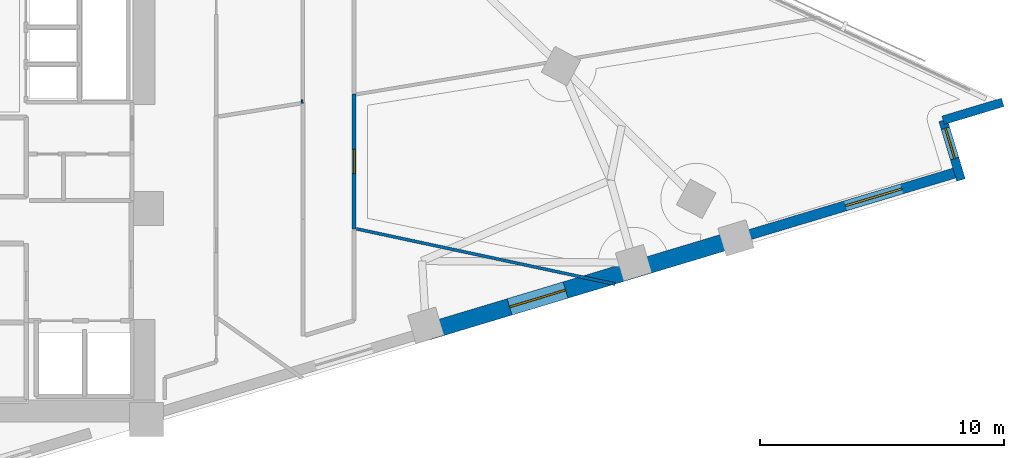
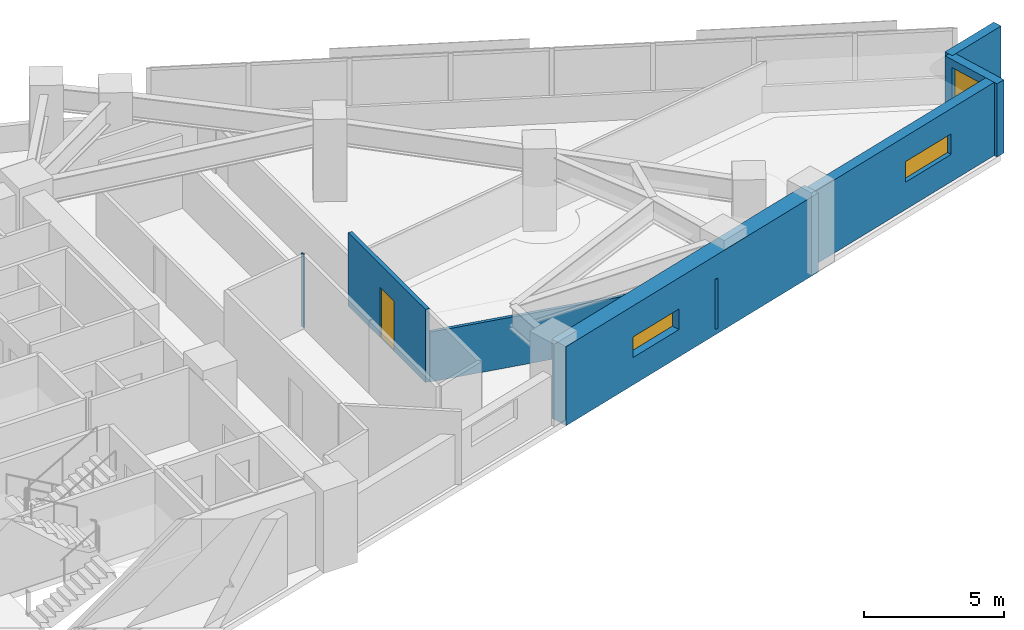
# One storey, part 11 of 14: 7 walls, 3 windows, 1 door, 4 openings.
"""IFC4 building model written with IfcOpenShell, lengths in metres."""

from ifc_helpers import new_model, si_unit, direction, frame, frame_2d, origin, place, context, subcontext, project, spatial, rectangle, extrude, material, layer, layer_set, type_object, element, fill, save


model = new_model("IFC4")

# Units and contexts
model_context = context("Model", 3, precision=1e-05, world=origin(), true_north=direction((0.0, 1.0)))
body_context = subcontext(model_context, "Body", "Model", "MODEL_VIEW")
ifc_project = project(units=[si_unit("LENGTHUNIT", "METRE"), si_unit("AREAUNIT", "SQUARE_METRE"), si_unit("VOLUMEUNIT", "CUBIC_METRE"), si_unit("PLANEANGLEUNIT", "RADIAN"), si_unit("MASSUNIT", "GRAM", prefix="KILO")], contexts=[model_context])

# Site, building, storey
site_placement = place(None, origin())
site = spatial("IfcSite", under=ifc_project, at=site_placement, CompositionType="ELEMENT")
building_placement = place(site_placement, origin())
building = spatial("IfcBuilding", under=site, at=building_placement, Name="Narakoshi Arena Tower", CompositionType="ELEMENT")
storey_placement = place(building_placement, frame((0.0, 0.0, 161.10009765625)))
storey = spatial("IfcBuildingStorey", under=building, at=storey_placement, Name="L43", CompositionType="ELEMENT", Elevation=161.10009765625)

# Wall, opening, door
ifc_material_1 = material(Name="Gypsum plasterboard fire-rated partition")
ifc_layer_1 = layer(ifc_material_1, 0.1650390625)
ifc_layer_set_1 = layer_set([ifc_layer_1], Name="Gypsum plasterboard fire-rated partition")
wall_type_1 = type_object("IfcWallType", Name="WL-CORR-165", PredefinedType="PARTITIONING", material=ifc_layer_set_1)
wall_1_placement = place(storey_placement, frame((94.050048828125, 42.499267578125, 0.0), z_axis=(0.0, 0.0, 1.0), x_axis=(0.0, 1.0, 0.0)))
wall_1 = element("IfcWall", 1, at=wall_1_placement, inside=storey, type_object=wall_type_1, Name="L43 Corridor Partition 04-1", PredefinedType="PARTITIONING", context=body_context, shape_type="SweptSolid", body=[
    extrude(rectangle(XDim=5.544921875, YDim=0.1650390625, at=frame_2d((2.7724609375, 0.0))), origin(), (0.0, 0.0, 1.0), 3.199951171875),
])
opening_1_placement = place(wall_1_placement, frame((2.2724609375, 0.0, 0.0)))
opening_1 = element("IfcOpeningElement", 2, at=opening_1_placement, cuts=wall_1, Name="Opening D-06", PredefinedType="OPENING", context=body_context, shape_type="SweptSolid", body=[
    extrude(rectangle(XDim=1.0, YDim=2.199951171875, at=frame_2d((0.5, 1.10009765625))), frame((0.0, 0.092529296875, 0.0), z_axis=(0.0, -1.0, 0.0), x_axis=(1.0, 0.0, 0.0)), (0.0, 0.0, 1.0), 0.18505859375),
])
ifc_material_2 = material(Name="Stained oak solid-core timber", Category="wood")
door_type = type_object("IfcDoorType", Name="DR-OFF-1000", OperationType="NOTDEFINED", PredefinedType="DOOR", material=ifc_material_2)
door_placement = place(opening_1_placement, frame((1.0, 0.0, 0.0), z_axis=(0.0, 0.0, 1.0), x_axis=(-1.0, 0.0, 0.0)))
door = element("IfcDoor", 3, at=door_placement, inside=storey, type_object=door_type, Name="DR-L43-018", OperationType="SINGLE_SWING_RIGHT", OverallHeight=2.199951171875, OverallWidth=1.0, PredefinedType="DOOR", context=body_context, shape_type="SweptSolid", body=[
    extrude(rectangle(XDim=1.0, YDim=2.199951171875, at=frame_2d((0.5, 1.10009765625))), frame((0.0, 0.02490234375, 0.0), z_axis=(0.0, -1.0, 0.0), x_axis=(1.0, 0.0, 0.0)), (0.0, 0.0, 1.0), 0.050048828125),
])
fill(opening_1, door)

# Wall, opening, window
ifc_material_3 = material(Name="Concrete C60/75", Category="concrete")
ifc_layer_2 = layer(ifc_material_3, 0.699951171875)
ifc_layer_set_2 = layer_set([ifc_layer_2], Name="Concrete C60/75")
wall_type_2 = type_object("IfcWallType", Name="WL-LEG-700", PredefinedType="SHEAR", material=ifc_layer_set_2)
wall_2_placement = place(storey_placement, frame((97.062255859375, 38.306640625, -0.260009765625), z_axis=(0.0, 0.0, 1.0), x_axis=(0.957569832102, 0.288201347408, 0.0)))
wall_2 = element("IfcWall", 4, at=wall_2_placement, inside=storey, type_object=wall_type_2, Name="L43 Architectural Concrete Structural Wall LEGA-3", PredefinedType="SHEAR", context=body_context, shape_type="SweptSolid", body=[
    extrude(rectangle(XDim=13.198974609375, YDim=0.699951171875, at=frame_2d((6.599609375, 0.0))), origin(), (0.0, 0.0, 1.0), 3.4599609375),
])
opening_2_placement = place(wall_2_placement, frame((3.501220703125, 0.0, 1.199951171875)))
opening_2 = element("IfcOpeningElement", 5, at=opening_2_placement, cuts=wall_2, Name="Opening WN-01", PredefinedType="OPENING", context=body_context, shape_type="SweptSolid", body=[
    extrude(rectangle(XDim=2.39990234375, YDim=0.89990234375, at=frame_2d((1.199951171875, 0.449951171875))), frame((0.0, 0.35986328125, 0.0), z_axis=(0.0, -1.0, 0.0), x_axis=(1.0, 0.0, 0.0)), (0.0, 0.0, 1.0), 0.719970703125),
])
ifc_material_4 = material(Name="Bronze-tinted low-E laminated glass", Category="glass")
window_type_1 = type_object("IfcWindowType", Name="WIN-SLT-24x09", PartitioningType="SINGLE_PANEL", PredefinedType="WINDOW", material=ifc_material_4)
window_1_placement = place(opening_2_placement, origin())
window_1 = element("IfcWindow", 6, at=window_1_placement, inside=storey, type_object=window_type_1, Name="L43 LEGA3 Horizontal Slot Window 1", OverallHeight=0.89990234375, OverallWidth=2.39990234375, PartitioningType="SINGLE_PANEL", PredefinedType="WINDOW", context=body_context, shape_type="SweptSolid", body=[
    extrude(rectangle(XDim=2.39990234375, YDim=0.89990234375, at=frame_2d((1.199951171875, 0.449951171875))), frame((0.0, 0.030029296875, 0.0), z_axis=(0.0, -1.0, 0.0), x_axis=(1.0, 0.0, 0.0)), (0.0, 0.0, 1.0), 0.06005859375),
])
fill(opening_2, window_1)

# Wall
ifc_layer_3 = layer(ifc_material_1, 0.125)
ifc_layer_set_3 = layer_set([ifc_layer_3], Name="Gypsum plasterboard fire-rated partition")
wall_type_3 = type_object("IfcWallType", Name="WL-PART-125", PredefinedType="PARTITIONING", material=ifc_layer_set_3)
wall_3_placement = place(storey_placement, frame((104.736083984375, 40.25048828125, 0.0), z_axis=(0.0, 0.0, 1.0), x_axis=(-0.977905545123, 0.209047231069, 0.0)))
element("IfcWall", 7, at=wall_3_placement, inside=storey, type_object=wall_type_3, Name="L43 Inter-Room Partition 04-05", PredefinedType="PARTITIONING", context=body_context, shape_type="SweptSolid", body=[
    extrude(rectangle(XDim=10.830810546875, YDim=0.125, at=frame_2d((5.41552734375, 0.0))), origin(), (0.0, 0.0, 1.0), 2.177001953125),
])

# Wall, opening, window
ifc_material_5 = material(Name="Precast concrete C45/55", Category="concrete")
ifc_layer_4 = layer(ifc_material_5, 0.419921875)
ifc_layer_set_4 = layer_set([ifc_layer_4], Name="Precast concrete C45/55")
wall_type_4 = type_object("IfcWallType", Name="WL-POD-420", PredefinedType="SOLIDWALL", material=ifc_layer_set_4)
wall_4_placement = place(storey_placement, frame((109.701171875, 42.110595703125, 0.0), z_axis=(0.0, 0.0, 1.0), x_axis=(0.957575807765, 0.288181492091, 0.0)))
wall_4 = element("IfcWall", 8, at=wall_4_placement, inside=storey, type_object=wall_type_4, Name="L43 Architectural Concrete Facade Wall LEGA-4", PredefinedType="SOLIDWALL", context=body_context, shape_type="SweptSolid", body=[
    extrude(rectangle(XDim=9.510498046875, YDim=0.419921875, at=frame_2d((4.75537109375, 0.0))), origin(), (0.0, 0.0, 1.0), 3.199951171875),
])
opening_3_placement = place(wall_4_placement, frame((4.679443359375, 0.0, 1.199951171875)))
opening_3 = element("IfcOpeningElement", 9, at=opening_3_placement, cuts=wall_4, Name="Opening WN-01", PredefinedType="OPENING", context=body_context, shape_type="SweptSolid", body=[
    extrude(rectangle(XDim=2.39990234375, YDim=0.89990234375, at=frame_2d((1.199951171875, 0.449951171875))), frame((0.0, 0.219970703125, 0.0), z_axis=(0.0, -1.0, 0.0), x_axis=(1.0, 0.0, 0.0)), (0.0, 0.0, 1.0), 0.43994140625),
])
window_2_placement = place(opening_3_placement, origin())
window_2 = element("IfcWindow", 10, at=window_2_placement, inside=storey, type_object=window_type_1, Name="L43 LEGA4 Horizontal Slot Window 1", OverallHeight=0.89990234375, OverallWidth=2.39990234375, PartitioningType="SINGLE_PANEL", PredefinedType="WINDOW", context=body_context, shape_type="SweptSolid", body=[
    extrude(rectangle(XDim=2.39990234375, YDim=0.89990234375, at=frame_2d((1.199951171875, 0.449951171875))), frame((0.0, 0.030029296875, 0.0), z_axis=(0.0, -1.0, 0.0), x_axis=(1.0, 0.0, 0.0)), (0.0, 0.0, 1.0), 0.06005859375),
])
fill(opening_3, window_2)

wall_5_placement = place(storey_placement, frame((118.908935546875, 44.51611328125, 0.0), z_axis=(0.0, 0.0, 1.0), x_axis=(-0.288172590882, 0.95757848653, 0.0)))
wall_5 = element("IfcWall", 11, at=wall_5_placement, inside=storey, type_object=wall_type_4, Name="L43 Re-Entrant Corner Notch Wall NTE-1", PredefinedType="SOLIDWALL", context=body_context, shape_type="SweptSolid", body=[
    extrude(rectangle(XDim=2.552734375, YDim=0.360107421875, at=frame_2d((1.2763671875, 0.0))), origin(), (0.0, 0.0, 1.0), 3.199951171875),
])
opening_4_placement = place(wall_5_placement, frame((0.91259765625, 0.0, 0.449951171875)))
opening_4 = element("IfcOpeningElement", 12, at=opening_4_placement, cuts=wall_5, Name="Opening WN-06", PredefinedType="OPENING", context=body_context, shape_type="SweptSolid", body=[
    extrude(rectangle(XDim=1.300048828125, YDim=2.39990234375, at=frame_2d((0.64990234375, 1.199951171875))), frame((0.0, 0.18994140625, 0.0), z_axis=(0.0, -1.0, 0.0), x_axis=(1.0, 0.0, 0.0)), (0.0, 0.0, 1.0), 0.380126953125),
])
window_type_2 = type_object("IfcWindowType", Name="WIN-NTC-16x24", PartitioningType="SINGLE_PANEL", PredefinedType="WINDOW", material=ifc_material_4)
window_3_placement = place(opening_4_placement, origin())
window_3 = element("IfcWindow", 13, at=window_3_placement, inside=storey, type_object=window_type_2, Name="L43 Corner Notch Window NTE", OverallHeight=2.39990234375, OverallWidth=1.300048828125, PartitioningType="SINGLE_PANEL", PredefinedType="WINDOW", context=body_context, shape_type="SweptSolid", body=[
    extrude(rectangle(XDim=1.300048828125, YDim=2.39990234375, at=frame_2d((0.64990234375, 1.199951171875))), frame((0.0, 0.030029296875, 0.0), z_axis=(0.0, -1.0, 0.0), x_axis=(1.0, 0.0, 0.0)), (0.0, 0.0, 1.0), 0.06005859375),
])
fill(opening_4, window_3)

# Walls
wall_6_placement = place(storey_placement, frame((118.17333984375, 46.96044921875, 0.0), z_axis=(0.0, 0.0, 1.0), x_axis=(0.95757848653, 0.288172590882, 0.0)))
element("IfcWall", 14, at=wall_6_placement, inside=storey, type_object=wall_type_4, Name="L43 Re-Entrant Corner Notch Wall NTE-2", PredefinedType="SOLIDWALL", context=body_context, shape_type="SweptSolid", body=[
    extrude(rectangle(XDim=2.552734375, YDim=0.360107421875, at=frame_2d((1.2763671875, 0.0))), origin(), (0.0, 0.0, 1.0), 3.199951171875),
])
ifc_material_6 = material(Name="Moisture-resistant cement-board partition")
ifc_layer_5 = layer(ifc_material_6, 0.14501953125)
ifc_layer_set_5 = layer_set([ifc_layer_5], Name="Moisture-resistant cement-board partition")
wall_type_5 = type_object("IfcWallType", Name="WL-WET-145", PredefinedType="PARTITIONING", material=ifc_layer_set_5)
wall_7_placement = place(storey_placement, frame((91.949951171875, 47.730224609375, 0.0), z_axis=(0.0, 0.0, 1.0), x_axis=(-0.98766511198, -0.156581054338, 0.0)))
element("IfcWall", 15, at=wall_7_placement, inside=storey, type_object=wall_type_5, Name="L43 Corridor Partition 07-4", PredefinedType="PARTITIONING", context=body_context, shape_type="SweptSolid", body=[
    extrude(rectangle(XDim=0.060791015625, YDim=0.14501953125, at=frame_2d((0.0302734375, 0.0))), origin(), (0.0, 0.0, 1.0), 3.199951171875),
])

save(model, "model.ifc")
